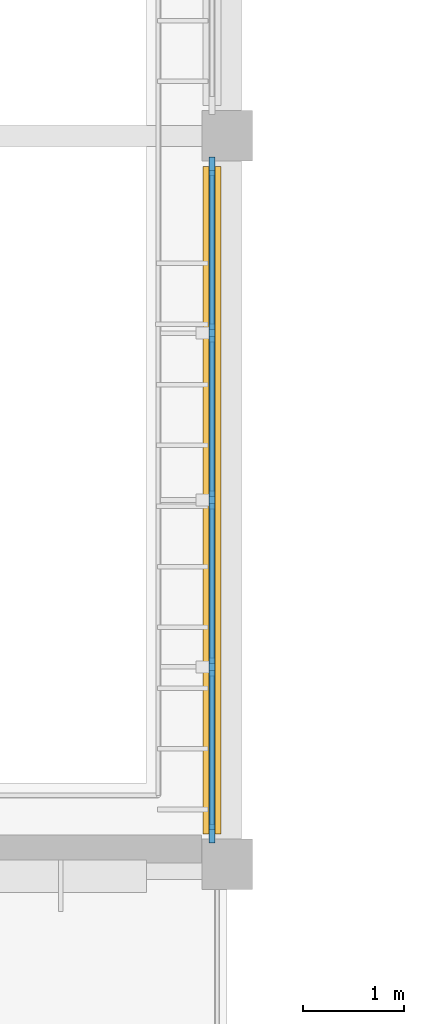
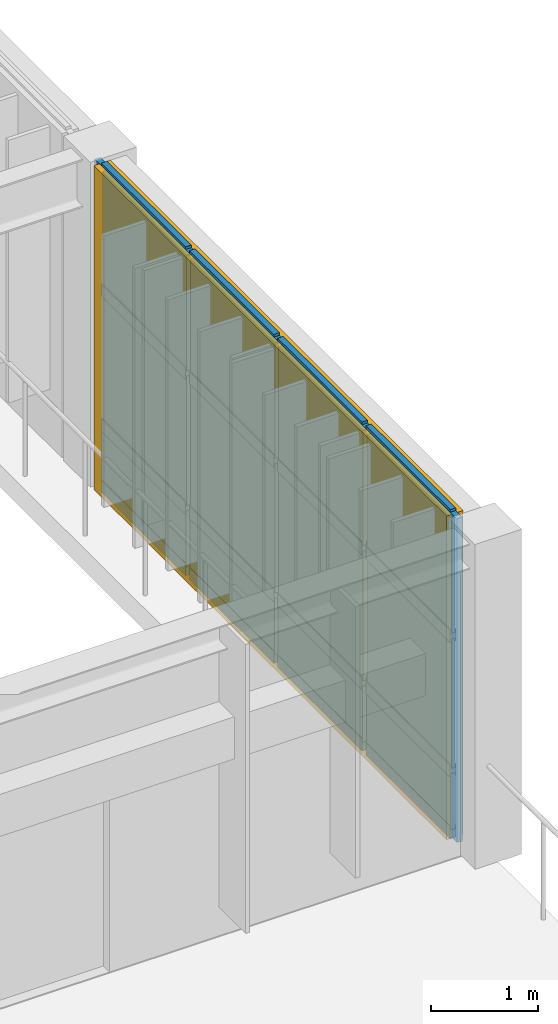
# One storey, part 31 of 44: 21 members, 12 plates, 1 curtain wall.
"""IFC4 building model written with IfcOpenShell, lengths in metres."""

from ifc_helpers import new_model, si_unit, direction, frame, frame_2d, origin, origin_2d, place, context, subcontext, project, spatial, rectangle, extrude, material, layer, layer_set, material_profile, profile_set, type_object, element, aggregate, save


model = new_model("IFC4")

# Units and contexts
model_context = context("Model", 3, precision=1e-05, world=origin(), true_north=direction((0.0, 1.0)))
body_context = subcontext(model_context, "Body", "Model", "MODEL_VIEW")
ifc_project = project(units=[si_unit("LENGTHUNIT", "METRE"), si_unit("AREAUNIT", "SQUARE_METRE"), si_unit("VOLUMEUNIT", "CUBIC_METRE"), si_unit("PLANEANGLEUNIT", "RADIAN"), si_unit("MASSUNIT", "GRAM", prefix="KILO")], contexts=[model_context])

# Member
ifc_material_1 = material(Name="Anodised Bronze Aluminium 6063-T6", Category="aluminium")
ifc_material_profile_1 = material_profile(ifc_material_1, rectangle(XDim=0.06005859375, YDim=0.179931640625, at=origin_2d()), Name="ALU MULLION 60x180")
ifc_profile_set_1 = profile_set([ifc_material_profile_1], Name="Anodised Bronze Aluminium 6063-T6")
member_type_1 = type_object("IfcMemberType", Name="Curtain-Wall Primary Mullion 60x180", PredefinedType="MULLION", material=ifc_profile_set_1)
site_placement = place(None, origin())
building_placement = place(site_placement, origin())
storey_placement = place(building_placement, frame((0.0, 0.0, 13.199951171875)))
member_1_placement = place(storey_placement, frame((27.449951171875, 52.10009765625, 0.0), z_axis=(0.0, 0.0, 1.0), x_axis=(1.0, 0.0, 0.0)))
member_1 = element("IfcMember", 1, at=member_1_placement, type_object=member_type_1, Name="Mullion CWM-01 CW-V6-E1-L03-B1-M01", PredefinedType="MULLION", context=body_context, shape_type="SweptSolid", body=[
    extrude(rectangle(XDim=0.06005859375, YDim=0.179931640625, at=origin_2d()), origin(), (0.0, 0.0, 1.0), 3.699951171875),
])

member_2_placement = place(storey_placement, frame((27.449951171875, 53.75, 0.0), z_axis=(0.0, 0.0, 1.0), x_axis=(1.0, 0.0, 0.0)))
member_2 = element("IfcMember", 2, at=member_2_placement, type_object=member_type_1, Name="Mullion CWM-01 CW-V6-E1-L03-B1-M02", PredefinedType="MULLION", context=body_context, shape_type="SweptSolid", body=[
    extrude(rectangle(XDim=0.06005859375, YDim=0.179931640625, at=origin_2d()), origin(), (0.0, 0.0, 1.0), 3.699951171875),
])

member_3_placement = place(storey_placement, frame((27.449951171875, 55.39990234375, 0.0), z_axis=(0.0, 0.0, 1.0), x_axis=(1.0, 0.0, 0.0)))
member_3 = element("IfcMember", 3, at=member_3_placement, type_object=member_type_1, Name="Mullion CWM-01 CW-V6-E1-L03-B1-M03", PredefinedType="MULLION", context=body_context, shape_type="SweptSolid", body=[
    extrude(rectangle(XDim=0.06005859375, YDim=0.179931640625, at=origin_2d()), origin(), (0.0, 0.0, 1.0), 3.699951171875),
])

member_4_placement = place(storey_placement, frame((27.449951171875, 57.050048828125, 0.0), z_axis=(0.0, 0.0, 1.0), x_axis=(1.0, 0.0, 0.0)))
member_4 = element("IfcMember", 4, at=member_4_placement, type_object=member_type_1, Name="Mullion CWM-01 CW-V6-E1-L03-B1-M04", PredefinedType="MULLION", context=body_context, shape_type="SweptSolid", body=[
    extrude(rectangle(XDim=0.06005859375, YDim=0.179931640625, at=origin_2d()), origin(), (0.0, 0.0, 1.0), 3.699951171875),
])

member_5_placement = place(storey_placement, frame((27.449951171875, 58.699951171875, 0.0), z_axis=(0.0, 0.0, 1.0), x_axis=(1.0, 0.0, 0.0)))
member_5 = element("IfcMember", 5, at=member_5_placement, type_object=member_type_1, Name="Mullion CWM-01 CW-V6-E1-L03-B1-M05", PredefinedType="MULLION", context=body_context, shape_type="SweptSolid", body=[
    extrude(rectangle(XDim=0.06005859375, YDim=0.179931640625, at=origin_2d()), origin(), (0.0, 0.0, 1.0), 3.699951171875),
])

ifc_material_profile_2 = material_profile(ifc_material_1, rectangle(XDim=0.06005859375, YDim=0.139892578125, at=origin_2d()), Name="ALU TRANSOM 60x140")
ifc_profile_set_2 = profile_set([ifc_material_profile_2], Name="Anodised Bronze Aluminium 6063-T6")
member_type_2 = type_object("IfcMemberType", Name="Curtain-Wall Transom 60x140", PredefinedType="USERDEFINED", material=ifc_profile_set_2)
member_6_placement = place(storey_placement, frame((27.449951171875, 52.135009765625, 0.0400390625), z_axis=(0.0, 1.0, 0.0), x_axis=(-1.0, 0.0, 0.0)))
member_6 = element("IfcMember", 6, at=member_6_placement, type_object=member_type_2, Name="Transom CWT-01 CW-V6-E1-L03-B1-T01.1", ObjectType="TRANSOM", PredefinedType="USERDEFINED", context=body_context, shape_type="SweptSolid", body=[
    extrude(rectangle(XDim=0.06005859375, YDim=0.139892578125, at=origin_2d()), origin(), (0.0, 0.0, 1.0), 1.580078125),
])

member_7_placement = place(storey_placement, frame((27.449951171875, 52.135009765625, 0.739990234375), z_axis=(0.0, 1.0, 0.0), x_axis=(-1.0, 0.0, 0.0)))
member_7 = element("IfcMember", 7, at=member_7_placement, type_object=member_type_2, Name="Transom CWT-01 CW-V6-E1-L03-B1-T01.2", ObjectType="TRANSOM", PredefinedType="USERDEFINED", context=body_context, shape_type="SweptSolid", body=[
    extrude(rectangle(XDim=0.06005859375, YDim=0.139892578125, at=origin_2d()), origin(), (0.0, 0.0, 1.0), 1.580078125),
])

member_8_placement = place(storey_placement, frame((27.449951171875, 52.135009765625, 2.279296875), z_axis=(0.0, 1.0, 0.0), x_axis=(-1.0, 0.0, 0.0)))
member_8 = element("IfcMember", 8, at=member_8_placement, type_object=member_type_2, Name="Transom CWT-01 CW-V6-E1-L03-B1-T01.3", ObjectType="TRANSOM", PredefinedType="USERDEFINED", context=body_context, shape_type="SweptSolid", body=[
    extrude(rectangle(XDim=0.06005859375, YDim=0.139892578125, at=origin_2d()), origin(), (0.0, 0.0, 1.0), 1.580078125),
])

member_9_placement = place(storey_placement, frame((27.449951171875, 52.135009765625, 3.66015625), z_axis=(0.0, 1.0, 0.0), x_axis=(-1.0, 0.0, 0.0)))
member_9 = element("IfcMember", 9, at=member_9_placement, type_object=member_type_2, Name="Transom CWT-01 CW-V6-E1-L03-B1-T01.4", ObjectType="TRANSOM", PredefinedType="USERDEFINED", context=body_context, shape_type="SweptSolid", body=[
    extrude(rectangle(XDim=0.06005859375, YDim=0.139892578125, at=origin_2d()), origin(), (0.0, 0.0, 1.0), 1.580078125),
])

member_10_placement = place(storey_placement, frame((27.449951171875, 53.784912109375, 0.0400390625), z_axis=(0.0, 1.0, 0.0), x_axis=(-1.0, 0.0, 0.0)))
member_10 = element("IfcMember", 10, at=member_10_placement, type_object=member_type_2, Name="Transom CWT-01 CW-V6-E1-L03-B1-T02.1", ObjectType="TRANSOM", PredefinedType="USERDEFINED", context=body_context, shape_type="SweptSolid", body=[
    extrude(rectangle(XDim=0.06005859375, YDim=0.139892578125, at=origin_2d()), origin(), (0.0, 0.0, 1.0), 1.580078125),
])

member_11_placement = place(storey_placement, frame((27.449951171875, 53.784912109375, 0.739990234375), z_axis=(0.0, 1.0, 0.0), x_axis=(-1.0, 0.0, 0.0)))
member_11 = element("IfcMember", 11, at=member_11_placement, type_object=member_type_2, Name="Transom CWT-01 CW-V6-E1-L03-B1-T02.2", ObjectType="TRANSOM", PredefinedType="USERDEFINED", context=body_context, shape_type="SweptSolid", body=[
    extrude(rectangle(XDim=0.06005859375, YDim=0.139892578125, at=origin_2d()), origin(), (0.0, 0.0, 1.0), 1.580078125),
])

member_12_placement = place(storey_placement, frame((27.449951171875, 53.784912109375, 2.279296875), z_axis=(0.0, 1.0, 0.0), x_axis=(-1.0, 0.0, 0.0)))
member_12 = element("IfcMember", 12, at=member_12_placement, type_object=member_type_2, Name="Transom CWT-01 CW-V6-E1-L03-B1-T02.3", ObjectType="TRANSOM", PredefinedType="USERDEFINED", context=body_context, shape_type="SweptSolid", body=[
    extrude(rectangle(XDim=0.06005859375, YDim=0.139892578125, at=origin_2d()), origin(), (0.0, 0.0, 1.0), 1.580078125),
])

member_13_placement = place(storey_placement, frame((27.449951171875, 53.784912109375, 3.66015625), z_axis=(0.0, 1.0, 0.0), x_axis=(-1.0, 0.0, 0.0)))
member_13 = element("IfcMember", 13, at=member_13_placement, type_object=member_type_2, Name="Transom CWT-01 CW-V6-E1-L03-B1-T02.4", ObjectType="TRANSOM", PredefinedType="USERDEFINED", context=body_context, shape_type="SweptSolid", body=[
    extrude(rectangle(XDim=0.06005859375, YDim=0.139892578125, at=origin_2d()), origin(), (0.0, 0.0, 1.0), 1.580078125),
])

member_14_placement = place(storey_placement, frame((27.449951171875, 55.43505859375, 0.0400390625), z_axis=(0.0, 1.0, 0.0), x_axis=(-1.0, 0.0, 0.0)))
member_14 = element("IfcMember", 14, at=member_14_placement, type_object=member_type_2, Name="Transom CWT-01 CW-V6-E1-L03-B1-T03.1", ObjectType="TRANSOM", PredefinedType="USERDEFINED", context=body_context, shape_type="SweptSolid", body=[
    extrude(rectangle(XDim=0.06005859375, YDim=0.139892578125, at=origin_2d()), origin(), (0.0, 0.0, 1.0), 1.579833984375),
])

member_15_placement = place(storey_placement, frame((27.449951171875, 55.43505859375, 0.739990234375), z_axis=(0.0, 1.0, 0.0), x_axis=(-1.0, 0.0, 0.0)))
member_15 = element("IfcMember", 15, at=member_15_placement, type_object=member_type_2, Name="Transom CWT-01 CW-V6-E1-L03-B1-T03.2", ObjectType="TRANSOM", PredefinedType="USERDEFINED", context=body_context, shape_type="SweptSolid", body=[
    extrude(rectangle(XDim=0.06005859375, YDim=0.139892578125, at=origin_2d()), origin(), (0.0, 0.0, 1.0), 1.579833984375),
])

member_16_placement = place(storey_placement, frame((27.449951171875, 55.43505859375, 2.279296875), z_axis=(0.0, 1.0, 0.0), x_axis=(-1.0, 0.0, 0.0)))
member_16 = element("IfcMember", 16, at=member_16_placement, type_object=member_type_2, Name="Transom CWT-01 CW-V6-E1-L03-B1-T03.3", ObjectType="TRANSOM", PredefinedType="USERDEFINED", context=body_context, shape_type="SweptSolid", body=[
    extrude(rectangle(XDim=0.06005859375, YDim=0.139892578125, at=origin_2d()), origin(), (0.0, 0.0, 1.0), 1.579833984375),
])

member_17_placement = place(storey_placement, frame((27.449951171875, 55.43505859375, 3.66015625), z_axis=(0.0, 1.0, 0.0), x_axis=(-1.0, 0.0, 0.0)))
member_17 = element("IfcMember", 17, at=member_17_placement, type_object=member_type_2, Name="Transom CWT-01 CW-V6-E1-L03-B1-T03.4", ObjectType="TRANSOM", PredefinedType="USERDEFINED", context=body_context, shape_type="SweptSolid", body=[
    extrude(rectangle(XDim=0.06005859375, YDim=0.139892578125, at=origin_2d()), origin(), (0.0, 0.0, 1.0), 1.579833984375),
])

member_18_placement = place(storey_placement, frame((27.449951171875, 57.0849609375, 0.0400390625), z_axis=(0.0, 1.0, 0.0), x_axis=(-1.0, 0.0, 0.0)))
member_18 = element("IfcMember", 18, at=member_18_placement, type_object=member_type_2, Name="Transom CWT-01 CW-V6-E1-L03-B1-T04.1", ObjectType="TRANSOM", PredefinedType="USERDEFINED", context=body_context, shape_type="SweptSolid", body=[
    extrude(rectangle(XDim=0.06005859375, YDim=0.139892578125, at=origin_2d()), origin(), (0.0, 0.0, 1.0), 1.580078125),
])

member_19_placement = place(storey_placement, frame((27.449951171875, 57.0849609375, 0.739990234375), z_axis=(0.0, 1.0, 0.0), x_axis=(-1.0, 0.0, 0.0)))
member_19 = element("IfcMember", 19, at=member_19_placement, type_object=member_type_2, Name="Transom CWT-01 CW-V6-E1-L03-B1-T04.2", ObjectType="TRANSOM", PredefinedType="USERDEFINED", context=body_context, shape_type="SweptSolid", body=[
    extrude(rectangle(XDim=0.06005859375, YDim=0.139892578125, at=origin_2d()), origin(), (0.0, 0.0, 1.0), 1.580078125),
])

member_20_placement = place(storey_placement, frame((27.449951171875, 57.0849609375, 2.279296875), z_axis=(0.0, 1.0, 0.0), x_axis=(-1.0, 0.0, 0.0)))
member_20 = element("IfcMember", 20, at=member_20_placement, type_object=member_type_2, Name="Transom CWT-01 CW-V6-E1-L03-B1-T04.3", ObjectType="TRANSOM", PredefinedType="USERDEFINED", context=body_context, shape_type="SweptSolid", body=[
    extrude(rectangle(XDim=0.06005859375, YDim=0.139892578125, at=origin_2d()), origin(), (0.0, 0.0, 1.0), 1.580078125),
])

member_21_placement = place(storey_placement, frame((27.449951171875, 57.0849609375, 3.66015625), z_axis=(0.0, 1.0, 0.0), x_axis=(-1.0, 0.0, 0.0)))
member_21 = element("IfcMember", 21, at=member_21_placement, type_object=member_type_2, Name="Transom CWT-01 CW-V6-E1-L03-B1-T04.4", ObjectType="TRANSOM", PredefinedType="USERDEFINED", context=body_context, shape_type="SweptSolid", body=[
    extrude(rectangle(XDim=0.06005859375, YDim=0.139892578125, at=origin_2d()), origin(), (0.0, 0.0, 1.0), 1.580078125),
])

# Plate
ifc_material_2 = material(Name="Insulated Bronze Aluminium Spandrel Panel", Category="aluminium")
ifc_layer_1 = layer(ifc_material_2, 0.050048828125, Name="Insulated Bronze Aluminium Spandrel Panel")
ifc_layer_set_1 = layer_set([ifc_layer_1], Name="Insulated Bronze Aluminium Spandrel Panel")
plate_type_1 = type_object("IfcPlateType", Name="Insulated Anodised Aluminium Spandrel Cassette 50", PredefinedType="CURTAIN_PANEL", material=ifc_layer_set_1)
plate_1_placement = place(storey_placement, frame((27.449951171875, 52.925048828125, 0.0703125), z_axis=(0.0, 0.0, 1.0), x_axis=(0.0, 1.0, 0.0)))
plate_1 = element("IfcPlate", 22, at=plate_1_placement, type_object=plate_type_1, Name="Curtain Panel CWP-03 CW-V6-E1-L03-B1-P01.1", PredefinedType="CURTAIN_PANEL", context=body_context, shape_type="SweptSolid", body=[
    extrude(rectangle(XDim=1.580078125, YDim=0.050048828125, at=origin_2d()), origin(), (0.0, 0.0, 1.0), 0.639892578125),
])

plate_2_placement = place(storey_placement, frame((27.449951171875, 54.574951171875, 0.0703125), z_axis=(0.0, 0.0, 1.0), x_axis=(0.0, 1.0, 0.0)))
plate_2 = element("IfcPlate", 23, at=plate_2_placement, type_object=plate_type_1, Name="Curtain Panel CWP-03 CW-V6-E1-L03-B1-P02.1", PredefinedType="CURTAIN_PANEL", context=body_context, shape_type="SweptSolid", body=[
    extrude(rectangle(XDim=1.580078125, YDim=0.050048828125, at=origin_2d()), origin(), (0.0, 0.0, 1.0), 0.639892578125),
])

plate_3_placement = place(storey_placement, frame((27.449951171875, 56.22509765625, 0.0703125), z_axis=(0.0, 0.0, 1.0), x_axis=(0.0, 1.0, 0.0)))
plate_3 = element("IfcPlate", 24, at=plate_3_placement, type_object=plate_type_1, Name="Curtain Panel CWP-03 CW-V6-E1-L03-B1-P03.1", PredefinedType="CURTAIN_PANEL", context=body_context, shape_type="SweptSolid", body=[
    extrude(rectangle(XDim=1.580078125, YDim=0.050048828125, at=origin_2d()), origin(), (0.0, 0.0, 1.0), 0.639892578125),
])

plate_4_placement = place(storey_placement, frame((27.449951171875, 57.875, 0.0703125), z_axis=(0.0, 0.0, 1.0), x_axis=(0.0, 1.0, 0.0)))
plate_4 = element("IfcPlate", 25, at=plate_4_placement, type_object=plate_type_1, Name="Curtain Panel CWP-03 CW-V6-E1-L03-B1-P04.1", PredefinedType="CURTAIN_PANEL", context=body_context, shape_type="SweptSolid", body=[
    extrude(rectangle(XDim=1.580078125, YDim=0.050048828125, at=origin_2d()), origin(), (0.0, 0.0, 1.0), 0.639892578125),
])

ifc_material_3 = material(Name="Solar-Control Tempered Double Glazing", Category="glass")
ifc_layer_2 = layer(ifc_material_3, 0.0380859375, Name="Solar-Control Tempered Double Glazing")
ifc_layer_set_2 = layer_set([ifc_layer_2], Name="Solar-Control Tempered Double Glazing")
plate_type_2 = type_object("IfcPlateType", Name="Solar-Control Vision Glazing Unit 38", PredefinedType="CURTAIN_PANEL", material=ifc_layer_set_2)
plate_5_placement = place(storey_placement, frame((27.449951171875, 52.925048828125, 0.77001953125), z_axis=(0.0, 0.0, 1.0), x_axis=(0.0, 1.0, 0.0)))
plate_5 = element("IfcPlate", 26, at=plate_5_placement, type_object=plate_type_2, Name="Curtain Panel CWP-02 CW-V6-E1-L03-B1-P01.2", PredefinedType="CURTAIN_PANEL", context=body_context, shape_type="SweptSolid", body=[
    extrude(rectangle(XDim=1.580078125, YDim=0.0380859375, at=origin_2d()), origin(), (0.0, 0.0, 1.0), 1.479248046875),
])

plate_6_placement = place(storey_placement, frame((27.449951171875, 52.925048828125, 2.309326171875), z_axis=(0.0, 0.0, 1.0), x_axis=(0.0, 1.0, 0.0)))
plate_6 = element("IfcPlate", 27, at=plate_6_placement, type_object=plate_type_2, Name="Curtain Panel CWP-02 CW-V6-E1-L03-B1-P01.3", PredefinedType="CURTAIN_PANEL", context=body_context, shape_type="SweptSolid", body=[
    extrude(rectangle(XDim=1.580078125, YDim=0.0380859375, at=origin_2d()), origin(), (0.0, 0.0, 1.0), 1.32080078125),
])

plate_7_placement = place(storey_placement, frame((27.449951171875, 54.574951171875, 0.77001953125), z_axis=(0.0, 0.0, 1.0), x_axis=(0.0, 1.0, 0.0)))
plate_7 = element("IfcPlate", 28, at=plate_7_placement, type_object=plate_type_2, Name="Curtain Panel CWP-02 CW-V6-E1-L03-B1-P02.2", PredefinedType="CURTAIN_PANEL", context=body_context, shape_type="SweptSolid", body=[
    extrude(rectangle(XDim=1.580078125, YDim=0.0380859375, at=origin_2d()), origin(), (0.0, 0.0, 1.0), 1.479248046875),
])

plate_8_placement = place(storey_placement, frame((27.449951171875, 54.574951171875, 2.309326171875), z_axis=(0.0, 0.0, 1.0), x_axis=(0.0, 1.0, 0.0)))
plate_8 = element("IfcPlate", 29, at=plate_8_placement, type_object=plate_type_2, Name="Curtain Panel CWP-02 CW-V6-E1-L03-B1-P02.3", PredefinedType="CURTAIN_PANEL", context=body_context, shape_type="SweptSolid", body=[
    extrude(rectangle(XDim=1.580078125, YDim=0.0380859375, at=origin_2d()), origin(), (0.0, 0.0, 1.0), 1.32080078125),
])

plate_9_placement = place(storey_placement, frame((27.449951171875, 56.22509765625, 0.77001953125), z_axis=(0.0, 0.0, 1.0), x_axis=(0.0, 1.0, 0.0)))
plate_9 = element("IfcPlate", 30, at=plate_9_placement, type_object=plate_type_2, Name="Curtain Panel CWP-02 CW-V6-E1-L03-B1-P03.2", PredefinedType="CURTAIN_PANEL", context=body_context, shape_type="SweptSolid", body=[
    extrude(rectangle(XDim=1.580078125, YDim=0.0380859375, at=origin_2d()), origin(), (0.0, 0.0, 1.0), 1.479248046875),
])

plate_10_placement = place(storey_placement, frame((27.449951171875, 56.22509765625, 2.309326171875), z_axis=(0.0, 0.0, 1.0), x_axis=(0.0, 1.0, 0.0)))
plate_10 = element("IfcPlate", 31, at=plate_10_placement, type_object=plate_type_2, Name="Curtain Panel CWP-02 CW-V6-E1-L03-B1-P03.3", PredefinedType="CURTAIN_PANEL", context=body_context, shape_type="SweptSolid", body=[
    extrude(rectangle(XDim=1.580078125, YDim=0.0380859375, at=origin_2d()), origin(), (0.0, 0.0, 1.0), 1.32080078125),
])

plate_11_placement = place(storey_placement, frame((27.449951171875, 57.875, 0.77001953125), z_axis=(0.0, 0.0, 1.0), x_axis=(0.0, 1.0, 0.0)))
plate_11 = element("IfcPlate", 32, at=plate_11_placement, type_object=plate_type_2, Name="Curtain Panel CWP-02 CW-V6-E1-L03-B1-P04.2", PredefinedType="CURTAIN_PANEL", context=body_context, shape_type="SweptSolid", body=[
    extrude(rectangle(XDim=1.580078125, YDim=0.0380859375, at=origin_2d()), origin(), (0.0, 0.0, 1.0), 1.479248046875),
])

plate_12_placement = place(storey_placement, frame((27.449951171875, 57.875, 2.309326171875), z_axis=(0.0, 0.0, 1.0), x_axis=(0.0, 1.0, 0.0)))
plate_12 = element("IfcPlate", 33, at=plate_12_placement, type_object=plate_type_2, Name="Curtain Panel CWP-02 CW-V6-E1-L03-B1-P04.3", PredefinedType="CURTAIN_PANEL", context=body_context, shape_type="SweptSolid", body=[
    extrude(rectangle(XDim=1.580078125, YDim=0.0380859375, at=origin_2d()), origin(), (0.0, 0.0, 1.0), 1.32080078125),
])

# Site, building, storey
site = spatial("IfcSite", under=ifc_project, at=site_placement, CompositionType="ELEMENT")
building = spatial("IfcBuilding", under=site, at=building_placement, Name="Tazoul Stagehouse", CompositionType="ELEMENT")
storey = spatial("IfcBuildingStorey", under=building, at=storey_placement, Name="L03", CompositionType="ELEMENT", Elevation=13.199951171875)

# Curtain wall
curtain_wall_type = type_object("IfcCurtainWallType", Name="Foyer Clear Solar-Control Curtain Wall", PredefinedType="NOTDEFINED", material=ifc_material_1)
curtain_wall_placement = place(storey_placement, frame((27.449951171875, 52.10009765625, 0.0), z_axis=(0.0, 0.0, 1.0), x_axis=(0.0, 1.0, 0.0)))
curtain_wall = element("IfcCurtainWall", 34, at=curtain_wall_placement, inside=storey, type_object=curtain_wall_type, Name="L03 Curtain Wall CW-02 (CW-V6-E1-L03-B1)", PredefinedType="NOTDEFINED", context=body_context, shape_type="SweptSolid", body=[
    extrude(rectangle(XDim=6.599853515625, YDim=0.179931640625, at=frame_2d((3.2998046875, 0.0))), origin(), (0.0, 0.0, 1.0), 3.699951171875),
])

aggregate(curtain_wall, [member_1, member_2, member_3, member_4, member_5, member_6, member_7, member_8, member_9, plate_1, plate_5, plate_6, member_10, member_11, member_12, member_13, plate_2, plate_7, plate_8, member_14, member_15, member_16, member_17, plate_3, plate_9, plate_10, member_18, member_19, member_20, member_21, plate_4, plate_11, plate_12])

save(model, "model.ifc")
